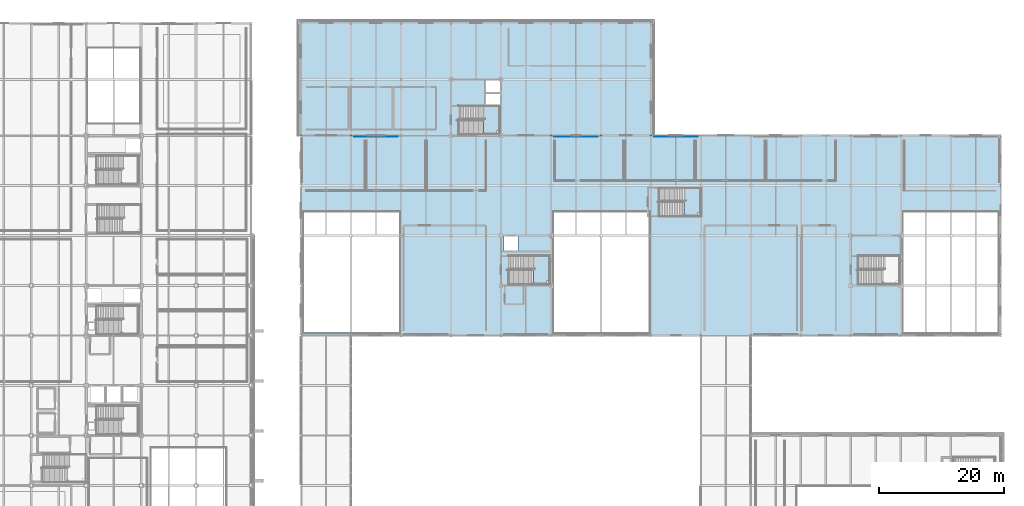
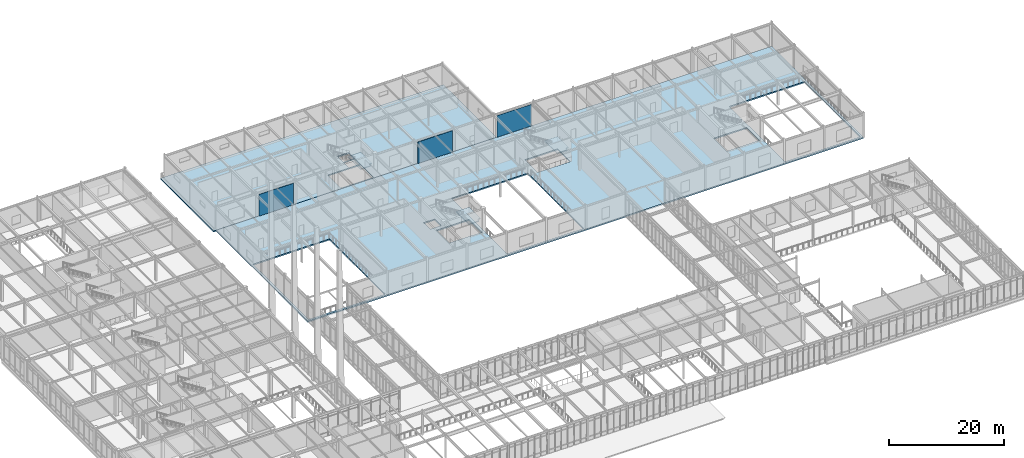
# One storey, part 99 of 184: 5 slabs, 3 plates, 3 elements without a shape of their own.
"""IFC4 building model written with IfcOpenShell, lengths in metres."""

from ifc_helpers import new_model, si_unit, direction, frame, origin, origin_2d, place, context, subcontext, project, spatial, polyline, rectangle, outline, extrude, material, layer, layer_set, type_object, element, aggregate, save


model = new_model("IFC4")

# Units and contexts
model_context = context("Model", 3, precision=1e-05, world=origin(), true_north=direction((0.0, 1.0)))
body_context = subcontext(model_context, "Body", "Model", "MODEL_VIEW")
ifc_project = project(units=[si_unit("LENGTHUNIT", "METRE"), si_unit("AREAUNIT", "SQUARE_METRE"), si_unit("VOLUMEUNIT", "CUBIC_METRE"), si_unit("PLANEANGLEUNIT", "RADIAN"), si_unit("MASSUNIT", "GRAM", prefix="KILO")], contexts=[model_context])

# Site, building, storey
site_placement = place(None, origin())
site = spatial("IfcSite", under=ifc_project, at=site_placement, CompositionType="ELEMENT")
building_placement = place(site_placement, origin())
building = spatial("IfcBuilding", under=site, at=building_placement, Name="Zhaolan Boulevard Law Courts", CompositionType="ELEMENT")
storey_placement = place(building_placement, frame((0.0, 0.0, 5.39990234375)))
storey = spatial("IfcBuildingStorey", under=building, at=storey_placement, Name="L01", CompositionType="ELEMENT", Elevation=5.39990234375)

# Slabs
ifc_material_1 = material(Name="Concrete C40", Category="concrete")
ifc_layer_1 = layer(ifc_material_1, 0.260009765625)
ifc_layer_set_1 = layer_set([ifc_layer_1])
slab_type_1 = type_object("IfcSlabType", Name="FLOOR SLAB 260", PredefinedType="FLOOR", material=ifc_layer_set_1)
slab_1_placement = place(storey_placement, frame((0.0, 0.0, -0.260009765625)))
element("IfcSlab", 1, at=slab_1_placement, inside=storey, type_object=slab_type_1, Name="Slab SLB-L01-V6", PredefinedType="FLOOR", context=body_context, shape_type="SweptSolid", body=[
    extrude(outline(polyline([(51.47998046875, 94.0), (108.52001953125, 94.0), (108.52001953125, 112.52001953125), (51.47998046875, 112.52001953125), (51.47998046875, 94.0)]), holes=[polyline([(81.574951171875, 98.875), (83.824951171875, 98.875), (83.824951171875, 100.824951171875), (81.574951171875, 100.824951171875), (81.574951171875, 98.875)]), polyline([(81.574951171875, 100.875), (83.824951171875, 100.875), (83.824951171875, 102.824951171875), (81.574951171875, 102.824951171875), (81.574951171875, 100.875)]), polyline([(77.25, 94.25), (83.85009765625, 94.25), (83.85009765625, 98.75), (77.25, 98.75), (77.25, 94.25)])]), origin(), (0.0, 0.0, 1.0), 0.260009765625),
])
ifc_material_2 = material(Name="Concrete C40", Category="concrete")
ifc_layer_2 = layer(ifc_material_2, 0.280029296875)
ifc_layer_set_2 = layer_set([ifc_layer_2])
slab_type_2 = type_object("IfcSlabType", Name="FLOOR SLAB 280", PredefinedType="FLOOR", material=ifc_layer_set_2)
slab_2_placement = place(storey_placement, frame((0.0, 0.0, -0.27978515625)))
element("IfcSlab", 2, at=slab_2_placement, inside=storey, type_object=slab_type_2, Name="Slab SLB-L01-V2", PredefinedType="FLOOR", context=body_context, shape_type="SweptSolid", body=[
    extrude(outline(polyline([(52.0, 62.0), (164.0, 62.0), (164.0, 94.0), (52.0, 94.0), (52.0, 62.0)]), holes=[polyline([(84.5, 75.574951171875), (86.699951171875, 75.574951171875), (86.699951171875, 77.824951171875), (84.5, 77.824951171875), (84.5, 75.574951171875)]), polyline([(85.25, 70.25), (91.85009765625, 70.25), (91.85009765625, 74.75), (85.25, 74.75), (85.25, 70.25)]), polyline([(141.25, 70.25), (147.85009765625, 70.25), (147.85009765625, 74.75), (141.25, 74.75), (141.25, 70.25)]), polyline([(109.39990234375, 81.14990234375), (116.0, 81.14990234375), (116.0, 85.60009765625), (109.39990234375, 85.60009765625), (109.39990234375, 81.14990234375)]), polyline([(52.39990234375, 62.39990234375), (67.800048828125, 62.39990234375), (67.800048828125, 81.800048828125), (52.39990234375, 81.800048828125), (52.39990234375, 62.39990234375)]), polyline([(92.39990234375, 62.39990234375), (107.800048828125, 62.39990234375), (107.800048828125, 81.800048828125), (92.39990234375, 81.800048828125), (92.39990234375, 62.39990234375)]), polyline([(148.39990234375, 62.39990234375), (163.60009765625, 62.39990234375), (163.60009765625, 81.800048828125), (148.39990234375, 81.800048828125), (148.39990234375, 62.39990234375)])]), origin(), (0.0, 0.0, 1.0), 0.27978515625),
])

# Stair, slab
ifc_material_3 = material(Name="Concrete C40", Category="concrete")
stair_type_1 = type_object("IfcStairType", Name="HALF TURN STAIR 54 B", PredefinedType="HALF_TURN_STAIR", material=ifc_material_3)
stair_1_placement = place(storey_placement, origin())
stair_1 = element("IfcStair", 3, at=stair_1_placement, inside=storey, type_object=stair_type_1, Name="Stair ST08-L01", PredefinedType="HALF_TURN_STAIR")
ifc_material_4 = material(Name="Concrete C40", Category="concrete")
ifc_layer_3 = layer(ifc_material_4, 0.199951171875)
ifc_layer_set_3 = layer_set([ifc_layer_3])
slab_type_3 = type_object("IfcSlabType", Name="STAIR LANDING 200", PredefinedType="LANDING", material=ifc_layer_set_3)
slab_3_placement = place(storey_placement, frame((0.0, 0.0, 2.5)))
slab_3 = element("IfcSlab", 4, at=slab_3_placement, type_object=slab_type_3, Name="Stair Landing ST08-L01-L1", PredefinedType="LANDING", context=body_context, shape_type="SweptSolid", body=[
    extrude(outline(polyline([(89.18994140625, 70.169921875), (91.27001953125, 70.169921875), (91.27001953125, 70.72998046875), (91.830078125, 70.72998046875), (91.830078125, 74.639892578125), (89.18994140625, 74.639892578125), (89.18994140625, 70.169921875)])), origin(), (0.0, 0.0, 1.0), 0.2001953125),
])
aggregate(stair_1, [slab_3])

ifc_material_5 = material(Name="Concrete C40", Category="concrete")
stair_type_2 = type_object("IfcStairType", Name="HALF TURN STAIR 54 A", PredefinedType="HALF_TURN_STAIR", material=ifc_material_5)
stair_2_placement = place(storey_placement, origin())
stair_2 = element("IfcStair", 5, at=stair_2_placement, inside=storey, type_object=stair_type_2, Name="Stair ST11-L01", PredefinedType="HALF_TURN_STAIR")
slab_4_placement = place(storey_placement, frame((0.0, 0.0, 2.5)))
slab_4 = element("IfcSlab", 6, at=slab_4_placement, type_object=slab_type_3, Name="Stair Landing ST11-L01-L1", PredefinedType="LANDING", context=body_context, shape_type="SweptSolid", body=[
    extrude(outline(polyline([(81.18994140625, 94.169921875), (83.27001953125, 94.169921875), (83.27001953125, 94.72998046875), (83.830078125, 94.72998046875), (83.830078125, 98.639892578125), (81.18994140625, 98.639892578125), (81.18994140625, 94.169921875)])), origin(), (0.0, 0.0, 1.0), 0.2001953125),
])
aggregate(stair_2, [slab_4])

stair_3_placement = place(storey_placement, origin())
stair_3 = element("IfcStair", 7, at=stair_3_placement, inside=storey, type_object=stair_type_1, Name="Stair ST13-L01", PredefinedType="HALF_TURN_STAIR")
slab_5_placement = place(storey_placement, frame((0.0, 0.0, 2.5)))
slab_5 = element("IfcSlab", 8, at=slab_5_placement, type_object=slab_type_3, Name="Stair Landing ST13-L01-L1", PredefinedType="LANDING", context=body_context, shape_type="SweptSolid", body=[
    extrude(outline(polyline([(113.340087890625, 81.199951171875), (115.43994140625, 81.199951171875), (115.43994140625, 81.7099609375), (115.949951171875, 81.7099609375), (115.949951171875, 85.550048828125), (113.340087890625, 85.550048828125), (113.340087890625, 81.199951171875)])), origin(), (0.0, 0.0, 1.0), 0.2001953125),
])
aggregate(stair_3, [slab_5])

# Plates
ifc_material_6 = material(Name="Pale mist-grey standing-seam Al-Mg-Mn zinc-titanium")
ifc_layer_4 = layer(ifc_material_6, 0.0400390625)
ifc_layer_set_4 = layer_set([ifc_layer_4])
plate_type_1 = type_object("IfcPlateType", Name="STANDING SEAM PLATE 40", PredefinedType="SHEET", material=ifc_layer_set_4)
plate_1_placement = place(storey_placement, frame((112.0, 93.830078125, 0.099609375), z_axis=(0.0, 0.0, 1.0), x_axis=(-1.0, 0.0, 0.0)))
element("IfcPlate", 9, at=plate_1_placement, inside=storey, type_object=plate_type_1, Name="Standing-Seam Metal Wall Cladding SSP-L01-222", PredefinedType="SHEET", context=body_context, shape_type="SweptSolid", body=[
    extrude(rectangle(XDim=6.9599609375, YDim=0.0400390625, at=origin_2d()), origin(), (0.0, 0.0, 1.0), 4.60302734375),
])
ifc_material_7 = material(Name="Pale mist-grey standing-seam Al-Mg-Mn zinc-titanium")
ifc_layer_5 = layer(ifc_material_7, 0.050048828125)
ifc_layer_set_5 = layer_set([ifc_layer_5])
plate_type_2 = type_object("IfcPlateType", Name="STANDING SEAM PLATE 50", PredefinedType="SHEET", material=ifc_layer_set_5)
plate_2_placement = place(storey_placement, frame((64.0, 93.824951171875, 0.099609375), z_axis=(0.0, 0.0, 1.0), x_axis=(-1.0, 0.0, 0.0)))
element("IfcPlate", 10, at=plate_2_placement, inside=storey, type_object=plate_type_2, Name="Standing-Seam Metal Wall Cladding SSP-L01-218", PredefinedType="SHEET", context=body_context, shape_type="SweptSolid", body=[
    extrude(rectangle(XDim=6.9599609375, YDim=0.050048828125, at=origin_2d()), origin(), (0.0, 0.0, 1.0), 4.60302734375),
])
ifc_material_8 = material(Name="Pale mist-grey standing-seam Al-Mg-Mn zinc-titanium")
ifc_layer_6 = layer(ifc_material_8, 0.06005859375)
ifc_layer_set_6 = layer_set([ifc_layer_6])
plate_type_3 = type_object("IfcPlateType", Name="STANDING SEAM PLATE 60", PredefinedType="SHEET", material=ifc_layer_set_6)
plate_3_placement = place(storey_placement, frame((96.0, 93.820068359375, 0.099609375), z_axis=(0.0, 0.0, 1.0), x_axis=(-1.0, 0.0, 0.0)))
element("IfcPlate", 11, at=plate_3_placement, inside=storey, type_object=plate_type_3, Name="Standing-Seam Metal Wall Cladding SSP-L01-220", PredefinedType="SHEET", context=body_context, shape_type="SweptSolid", body=[
    extrude(rectangle(XDim=6.9599609375, YDim=0.06005859375, at=origin_2d()), origin(), (0.0, 0.0, 1.0), 4.60302734375),
])

save(model, "model.ifc")
